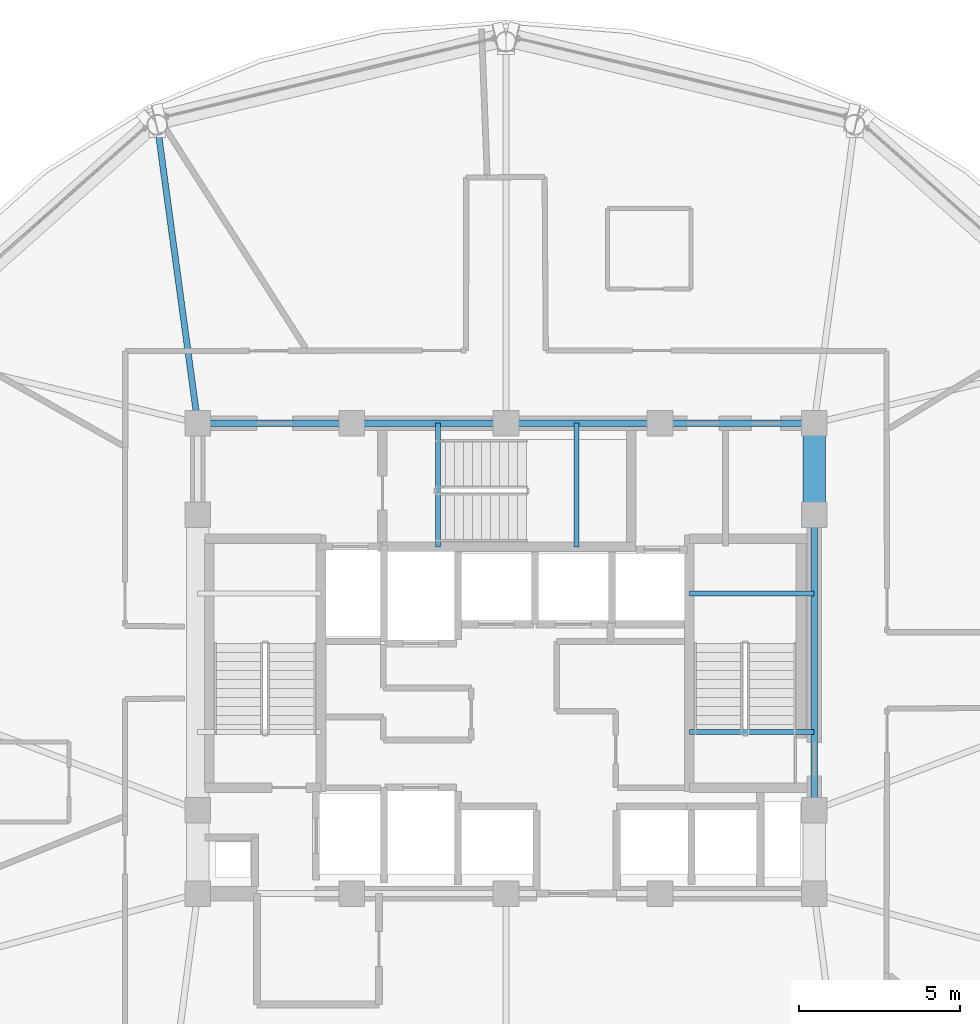
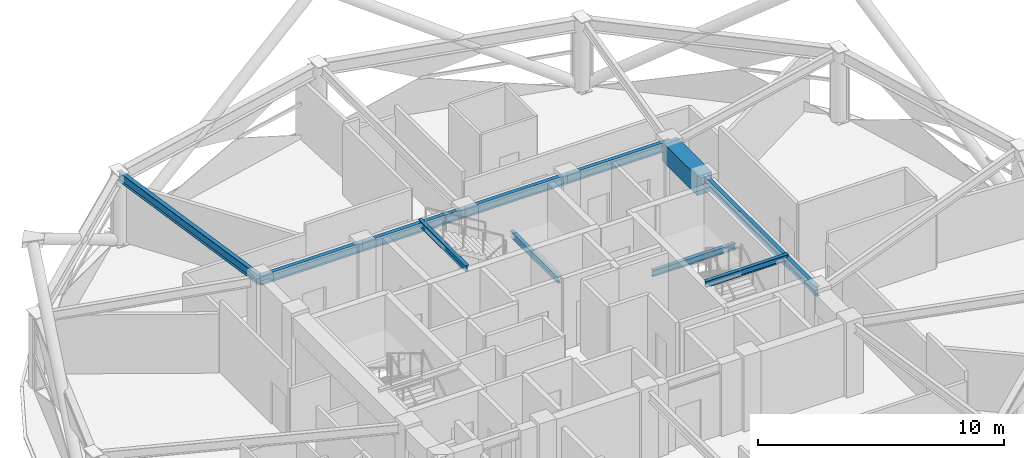
# One storey, part 10 of 28: 11 beams.
"""IFC4 building model written with IfcOpenShell, lengths in metres."""

from ifc_helpers import new_model, si_unit, direction, frame, origin, origin_2d, place, context, subcontext, project, spatial, rectangle, i_section, extrude, material, material_profile, profile_set, type_object, element, save


model = new_model("IFC4")

# Units and contexts
model_context = context("Model", 3, precision=1e-05, world=origin(), true_north=direction((0.0, 1.0)))
body_context = subcontext(model_context, "Body", "Model", "MODEL_VIEW")
ifc_project = project(units=[si_unit("LENGTHUNIT", "METRE"), si_unit("AREAUNIT", "SQUARE_METRE"), si_unit("VOLUMEUNIT", "CUBIC_METRE"), si_unit("PLANEANGLEUNIT", "RADIAN"), si_unit("MASSUNIT", "GRAM", prefix="KILO")], contexts=[model_context])

# Site, building, storey
site_placement = place(None, origin())
site = spatial("IfcSite", under=ifc_project, at=site_placement, CompositionType="ELEMENT")
building_placement = place(site_placement, origin())
building = spatial("IfcBuilding", under=site, at=building_placement, Name="Vantalir Tower", CompositionType="ELEMENT")
storey_placement = place(building_placement, frame((0.0, 0.0, 242.39990234375)))
storey = spatial("IfcBuildingStorey", under=building, at=storey_placement, Name="L61", CompositionType="ELEMENT", Elevation=242.39990234375)

# Beams
ifc_material_1 = material(Name="Concrete C60/75", Category="concrete")
ifc_material_profile_1 = material_profile(ifc_material_1, rectangle(XDim=0.699951171875, YDim=0.949951171875, at=origin_2d()), Name="Concrete C60/75")
ifc_profile_set_1 = profile_set([ifc_material_profile_1], Name="Concrete C60/75")
beam_type_1 = type_object("IfcBeamType", Name="BM-CB-700x950", PredefinedType="USERDEFINED", material=ifc_profile_set_1)
beam_1_placement = place(storey_placement, frame((41.10009765625, 29.60009765625, 3.09521484375), z_axis=(0.0, 1.0, 0.0), x_axis=(-1.0, 0.0, 0.0)))
element("IfcBeam", 1, at=beam_1_placement, inside=storey, type_object=beam_type_1, Name="L61 Core Coupling Girder 07", ObjectType="GIRDER", PredefinedType="USERDEFINED", context=body_context, shape_type="SweptSolid", body=[
    extrude(rectangle(XDim=0.699951171875, YDim=0.949951171875, at=origin_2d()), origin(), (0.0, 0.0, 1.0), 2.849853515625),
])
ifc_material_2 = material(Name="Steel S355", Category="steel")
ifc_material_profile_2 = material_profile(ifc_material_2, i_section(OverallWidth=0.166015625, OverallDepth=0.306884765625, WebThickness=0.006591796875, FlangeThickness=0.01171875, at=origin_2d()), Name="Steel S355")
ifc_profile_set_2 = profile_set([ifc_material_profile_2], Name="Steel S355")
beam_type_2 = type_object("IfcBeamType", Name="BM-JS-305x165", PredefinedType="JOIST", material=ifc_profile_set_2)
for number, where, z_axis, x_axis, name in (
    (2, (37.2099609375, 22.8349609375, 3.59619140625), (1.0, 0.0, 0.0), (0.0, 1.0, 0.0), "L62 Stair ST2 Well Nosing Trimmer Beam"),
    (3, (37.2099609375, 27.14501953125, 1.52099609375), (1.0, 0.0, 0.0), (0.0, 1.0, 0.0), "L61 Stair ST2 Half-Landing Support Beam"),
):
    element("IfcBeam", number, at=place(storey_placement, frame(where, z_axis=z_axis, x_axis=x_axis)), inside=storey, type_object=beam_type_2, Name=name, PredefinedType="JOIST", context=body_context, shape_type="SweptSolid", body=[
        extrude(i_section(OverallWidth=0.166015625, OverallDepth=0.306884765625, WebThickness=0.006591796875, FlangeThickness=0.01171875, at=origin_2d()), origin(), (0.0, 0.0, 1.0), 3.89013671875),
    ])
for number, where, z_axis, x_axis, name in (
    (4, (29.385009765625, 28.60009765625, 3.59619140625), (0.0, 1.0, 0.0), (-1.0, 0.0, 0.0), "L62 Stair ST3 Well Nosing Trimmer Beam"),
    (5, (33.695068359375, 28.60009765625, 1.52099609375), (0.0, 1.0, 0.0), (-1.0, 0.0, 0.0), "L61 Stair ST3 Half-Landing Support Beam"),
):
    element("IfcBeam", number, at=place(storey_placement, frame(where, z_axis=z_axis, x_axis=x_axis)), inside=storey, type_object=beam_type_2, Name=name, PredefinedType="JOIST", context=body_context, shape_type="SweptSolid", body=[
        extrude(i_section(OverallWidth=0.166015625, OverallDepth=0.306884765625, WebThickness=0.006591796875, FlangeThickness=0.01171875, at=origin_2d()), origin(), (0.0, 0.0, 1.0), 3.849853515625),
    ])
ifc_material_profile_3 = material_profile(ifc_material_2, i_section(OverallWidth=0.19189453125, OverallDepth=0.462890625, WebThickness=0.010498046875, FlangeThickness=0.017578125, at=origin_2d()), Name="Steel S355")
ifc_profile_set_3 = profile_set([ifc_material_profile_3], Name="Steel S355")
beam_type_3 = type_object("IfcBeamType", Name="BM-RB-457x191", PredefinedType="BEAM", material=ifc_profile_set_3)
beam_2_placement = place(storey_placement, frame((41.10009765625, 20.39990234375, 3.338134765625), z_axis=(0.0, 1.0, 0.0), x_axis=(-1.0, 0.0, 0.0)))
element("IfcBeam", 6, at=beam_2_placement, inside=storey, type_object=beam_type_3, Name="L61 Core Coupling Girder 06", PredefinedType="BEAM", context=body_context, shape_type="SweptSolid", body=[
    extrude(i_section(OverallWidth=0.19189453125, OverallDepth=0.462890625, WebThickness=0.010498046875, FlangeThickness=0.017578125, at=origin_2d()), origin(), (0.0, 0.0, 1.0), 9.2001953125),
])
for number, where, z_axis, x_axis, name in (
    (7, (41.10009765625, 32.449951171875, 3.338134765625), (-1.0, 0.0, 0.0), (0.0, -1.0, 0.0), "L61 Core Coupling Girder 08"),
    (8, (36.300048828125, 32.449951171875, 3.338134765625), (-1.0, 0.0, 0.0), (0.0, -1.0, 0.0), "L61 Core Coupling Girder 09"),
    (9, (31.5, 32.449951171875, 3.338134765625), (-1.0, 0.0, 0.0), (0.0, -1.0, 0.0), "L61 Core Coupling Girder 10"),
    (10, (26.699951171875, 32.449951171875, 3.338134765625), (-1.0, 0.0, 0.0), (0.0, -1.0, 0.0), "L61 Core Coupling Girder 11"),
):
    element("IfcBeam", number, at=place(storey_placement, frame(where, z_axis=z_axis, x_axis=x_axis)), inside=storey, type_object=beam_type_3, Name=name, PredefinedType="BEAM", context=body_context, shape_type="SweptSolid", body=[
        extrude(i_section(OverallWidth=0.19189453125, OverallDepth=0.462890625, WebThickness=0.010498046875, FlangeThickness=0.017578125, at=origin_2d()), origin(), (0.0, 0.0, 1.0), 4.800048828125),
    ])
beam_3_placement = place(storey_placement, frame((20.64111328125, 41.742919921875, 3.338134765625), z_axis=(0.134230220125, -0.99095017433, 0.0), x_axis=(0.99095017433, 0.134230220125, 0.0)))
element("IfcBeam", 11, at=beam_3_placement, inside=storey, type_object=beam_type_3, Name="L61 Radial Floor Beam 05", PredefinedType="BEAM", context=body_context, shape_type="SweptSolid", body=[
    extrude(i_section(OverallWidth=0.19189453125, OverallDepth=0.462890625, WebThickness=0.010498046875, FlangeThickness=0.017578125, at=origin_2d()), origin(), (0.0, 0.0, 1.0), 9.3779296875),
])

save(model, "model.ifc")
